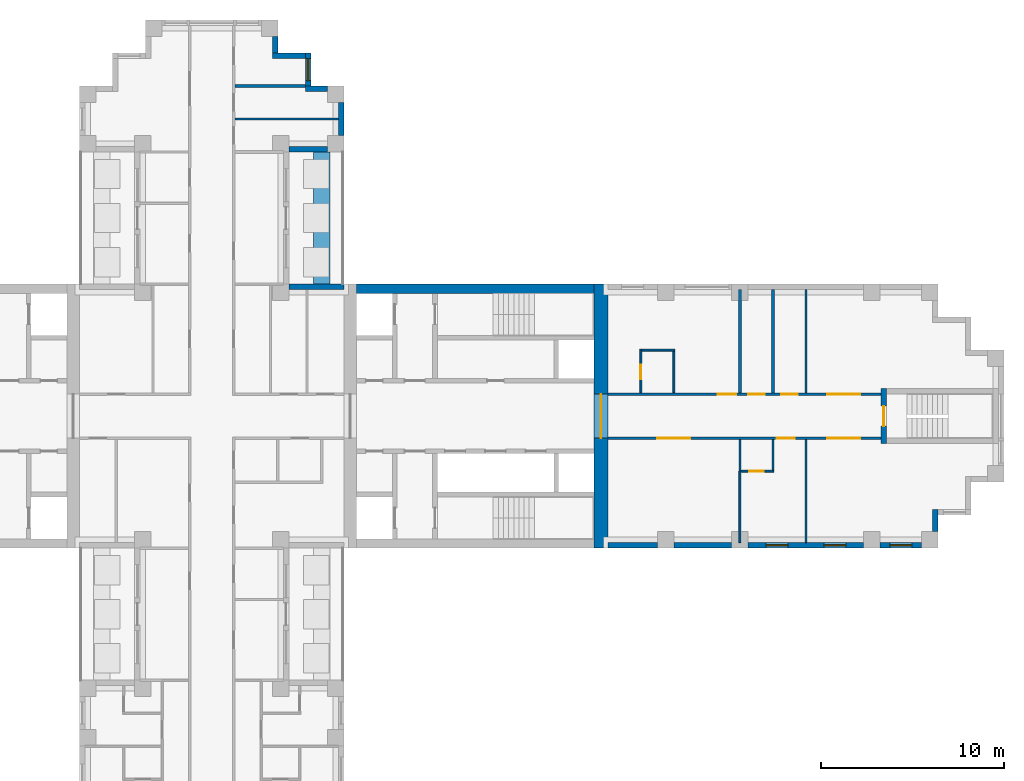
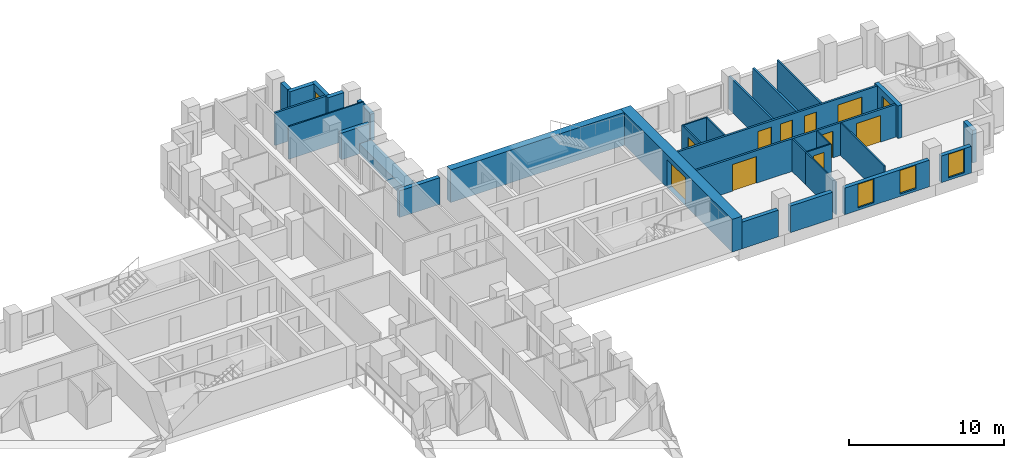
# One storey, part 10 of 14: 31 walls, 11 doors, 4 windows, 15 openings.
"""IFC4 building model written with IfcOpenShell, lengths in metres."""

from ifc_helpers import new_model, si_unit, direction, frame, frame_2d, origin, place, context, subcontext, project, spatial, rectangle, extrude, material, layer, layer_set, type_object, element, fill, save


model = new_model("IFC4")

# Units and contexts
model_context = context("Model", 3, precision=1e-05, world=origin(), true_north=direction((0.0, 1.0)))
body_context = subcontext(model_context, "Body", "Model", "MODEL_VIEW")
ifc_project = project(units=[si_unit("LENGTHUNIT", "METRE"), si_unit("AREAUNIT", "SQUARE_METRE"), si_unit("VOLUMEUNIT", "CUBIC_METRE"), si_unit("PLANEANGLEUNIT", "RADIAN"), si_unit("MASSUNIT", "GRAM", prefix="KILO")], contexts=[model_context])

# Site, building, storey
site_placement = place(None, origin())
site = spatial("IfcSite", under=ifc_project, at=site_placement, CompositionType="ELEMENT")
building_placement = place(site_placement, origin())
building = spatial("IfcBuilding", under=site, at=building_placement, Name="Fustian Cross Tower", CompositionType="ELEMENT")
storey_placement = place(building_placement, frame((0.0, 0.0, 96.89990234375)))
storey = spatial("IfcBuildingStorey", under=building, at=storey_placement, Name="L30", CompositionType="ELEMENT", Elevation=96.89990234375)

# Wall
ifc_material_1 = material(Name="Plasterboard on steel stud", Category="steel")
ifc_layer_1 = layer(ifc_material_1, 0.14990234375)
ifc_layer_set_1 = layer_set([ifc_layer_1], Name="Plasterboard on steel stud")
wall_type_1 = type_object("IfcWallType", Name="COMPARTMENT WALL 150 EI 60", PredefinedType="PARTITIONING", material=ifc_layer_set_1)
wall_1_placement = place(storey_placement, frame((1.27490234375, 18.0, 0.0), z_axis=(0.0, 0.0, 1.0), x_axis=(1.0, 0.0, 0.0)))
element("IfcWall", 1, at=wall_1_placement, inside=storey, type_object=wall_type_1, Name="Partition 55", PredefinedType="PARTITIONING", context=body_context, shape_type="SweptSolid", body=[
    extrude(rectangle(XDim=3.8251953125, YDim=0.14990234375, at=frame_2d((1.91259765625, 0.0))), origin(), (0.0, 0.0, 1.0), 2.5751953125),
])

# Wall, openings, doors
wall_2_placement = place(storey_placement, frame((21.60009765625, -1.199951171875, 0.0), z_axis=(0.0, 0.0, 1.0), x_axis=(1.0, 0.0, 0.0)))
wall_2 = element("IfcWall", 2, at=wall_2_placement, inside=storey, type_object=wall_type_1, Name="Partition 78", PredefinedType="PARTITIONING", context=body_context, shape_type="SweptSolid", body=[
    extrude(rectangle(XDim=14.89990234375, YDim=0.14990234375, at=frame_2d((7.449951171875, 0.0))), origin(), (0.0, 0.0, 1.0), 2.5751953125),
])
opening_1_placement = place(wall_2_placement, frame((2.699951171875, 0.0, 0.0)))
opening_1 = element("IfcOpeningElement", 3, at=opening_1_placement, cuts=wall_2, Name="Opening D14016", PredefinedType="OPENING", context=body_context, shape_type="SweptSolid", body=[
    extrude(rectangle(XDim=1.800048828125, YDim=2.10009765625, at=frame_2d((0.89990234375, 1.050048828125))), frame((0.0, 0.0849609375, 0.0), z_axis=(0.0, -1.0, 0.0), x_axis=(1.0, 0.0, 0.0)), (0.0, 0.0, 1.0), 0.169921875),
])
opening_2_placement = place(wall_2_placement, frame((9.199951171875, 0.0, 0.0)))
opening_2 = element("IfcOpeningElement", 4, at=opening_2_placement, cuts=wall_2, Name="Opening D14018", PredefinedType="OPENING", context=body_context, shape_type="SweptSolid", body=[
    extrude(rectangle(XDim=1.0, YDim=2.10009765625, at=frame_2d((0.5, 1.050048828125))), frame((0.0, 0.0849609375, 0.0), z_axis=(0.0, -1.0, 0.0), x_axis=(1.0, 0.0, 0.0)), (0.0, 0.0, 1.0), 0.169921875),
])
opening_3_placement = place(wall_2_placement, frame((11.949951171875, 0.0, 0.0)))
opening_3 = element("IfcOpeningElement", 5, at=opening_3_placement, cuts=wall_2, Name="Opening D14019", PredefinedType="OPENING", context=body_context, shape_type="SweptSolid", body=[
    extrude(rectangle(XDim=1.800048828125, YDim=2.10009765625, at=frame_2d((0.89990234375, 1.050048828125))), frame((0.0, 0.0849609375, 0.0), z_axis=(0.0, -1.0, 0.0), x_axis=(1.0, 0.0, 0.0)), (0.0, 0.0, 1.0), 0.169921875),
])
ifc_material_2 = material(Name="Timber fire door set", Category="wood")
door_type_1 = type_object("IfcDoorType", Name="FIRE DOUBLE DOOR 1800 FD30S", OperationType="DOUBLE_DOOR_DOUBLE_SWING", PredefinedType="DOOR", material=ifc_material_2)
door_1_placement = place(opening_1_placement, origin())
door_1 = element("IfcDoor", 6, at=door_1_placement, inside=storey, type_object=door_type_1, Name="Door D14016", OperationType="DOUBLE_DOOR_DOUBLE_SWING", OverallHeight=2.10009765625, OverallWidth=1.800048828125, PredefinedType="DOOR", context=body_context, shape_type="SweptSolid", body=[
    extrude(rectangle(XDim=1.800048828125, YDim=2.10009765625, at=frame_2d((0.89990234375, 1.050048828125))), frame((0.0, 0.02490234375, 0.0), z_axis=(0.0, -1.0, 0.0), x_axis=(1.0, 0.0, 0.0)), (0.0, 0.0, 1.0), 0.050048828125),
])
fill(opening_1, door_1)
door_2_placement = place(opening_3_placement, origin())
door_2 = element("IfcDoor", 7, at=door_2_placement, inside=storey, type_object=door_type_1, Name="Door D14019", OperationType="DOUBLE_DOOR_DOUBLE_SWING", OverallHeight=2.10009765625, OverallWidth=1.800048828125, PredefinedType="DOOR", context=body_context, shape_type="SweptSolid", body=[
    extrude(rectangle(XDim=1.800048828125, YDim=2.10009765625, at=frame_2d((0.89990234375, 1.050048828125))), frame((0.0, 0.02490234375, 0.0), z_axis=(0.0, -1.0, 0.0), x_axis=(1.0, 0.0, 0.0)), (0.0, 0.0, 1.0), 0.050048828125),
])
fill(opening_3, door_2)
ifc_material_3 = material(Name="Timber fire door set", Category="wood")
door_type_2 = type_object("IfcDoorType", Name="FIRE SWING DOOR 1000 FD30S", OperationType="SINGLE_SWING_LEFT", PredefinedType="DOOR", material=ifc_material_3)
door_3_placement = place(opening_2_placement, frame((1.0, 0.0, 0.0), z_axis=(0.0, 0.0, 1.0), x_axis=(-1.0, 0.0, 0.0)))
door_3 = element("IfcDoor", 8, at=door_3_placement, inside=storey, type_object=door_type_2, Name="Door D14018", OperationType="SINGLE_SWING_RIGHT", OverallHeight=2.10009765625, OverallWidth=1.0, PredefinedType="DOOR", context=body_context, shape_type="SweptSolid", body=[
    extrude(rectangle(XDim=1.0, YDim=2.10009765625, at=frame_2d((0.5, 1.050048828125))), frame((0.0, 0.02490234375, 0.0), z_axis=(0.0, -1.0, 0.0), x_axis=(1.0, 0.0, 0.0)), (0.0, 0.0, 1.0), 0.050048828125),
])
fill(opening_2, door_3)

wall_3_placement = place(storey_placement, frame((21.60009765625, 1.199951171875, 0.0), z_axis=(0.0, 0.0, 1.0), x_axis=(1.0, 0.0, 0.0)))
wall_3 = element("IfcWall", 9, at=wall_3_placement, inside=storey, type_object=wall_type_1, Name="Partition 79", PredefinedType="PARTITIONING", context=body_context, shape_type="SweptSolid", body=[
    extrude(rectangle(XDim=14.89990234375, YDim=0.14990234375, at=frame_2d((7.449951171875, 0.0))), origin(), (0.0, 0.0, 1.0), 2.5751953125),
])
opening_4_placement = place(wall_3_placement, frame((6.0, 0.0, 0.0)))
opening_4 = element("IfcOpeningElement", 10, at=opening_4_placement, cuts=wall_3, Name="Opening D14012", PredefinedType="OPENING", context=body_context, shape_type="SweptSolid", body=[
    extrude(rectangle(XDim=1.0, YDim=2.10009765625, at=frame_2d((0.5, 1.050048828125))), frame((0.0, 0.0849609375, 0.0), z_axis=(0.0, -1.0, 0.0), x_axis=(1.0, 0.0, 0.0)), (0.0, 0.0, 1.0), 0.169921875),
])
opening_5_placement = place(wall_3_placement, frame((7.64990234375, 0.0, 0.0)))
opening_5 = element("IfcOpeningElement", 11, at=opening_5_placement, cuts=wall_3, Name="Opening D14013", PredefinedType="OPENING", context=body_context, shape_type="SweptSolid", body=[
    extrude(rectangle(XDim=0.89990234375, YDim=2.10009765625, at=frame_2d((0.449951171875, 1.050048828125))), frame((0.0, 0.0849609375, 0.0), z_axis=(0.0, -1.0, 0.0), x_axis=(1.0, 0.0, 0.0)), (0.0, 0.0, 1.0), 0.169921875),
])
opening_6_placement = place(wall_3_placement, frame((9.449951171875, 0.0, 0.0)))
opening_6 = element("IfcOpeningElement", 12, at=opening_6_placement, cuts=wall_3, Name="Opening D14014", PredefinedType="OPENING", context=body_context, shape_type="SweptSolid", body=[
    extrude(rectangle(XDim=0.89990234375, YDim=2.10009765625, at=frame_2d((0.449951171875, 1.050048828125))), frame((0.0, 0.0849609375, 0.0), z_axis=(0.0, -1.0, 0.0), x_axis=(1.0, 0.0, 0.0)), (0.0, 0.0, 1.0), 0.169921875),
])
opening_7_placement = place(wall_3_placement, frame((11.949951171875, 0.0, 0.0)))
opening_7 = element("IfcOpeningElement", 13, at=opening_7_placement, cuts=wall_3, Name="Opening D14015", PredefinedType="OPENING", context=body_context, shape_type="SweptSolid", body=[
    extrude(rectangle(XDim=1.800048828125, YDim=2.10009765625, at=frame_2d((0.89990234375, 1.050048828125))), frame((0.0, 0.0849609375, 0.0), z_axis=(0.0, -1.0, 0.0), x_axis=(1.0, 0.0, 0.0)), (0.0, 0.0, 1.0), 0.169921875),
])
door_4_placement = place(opening_7_placement, frame((1.800048828125, 0.0, 0.0), z_axis=(0.0, 0.0, 1.0), x_axis=(-1.0, 0.0, 0.0)))
door_4 = element("IfcDoor", 14, at=door_4_placement, inside=storey, type_object=door_type_1, Name="Door D14015", OperationType="DOUBLE_DOOR_DOUBLE_SWING", OverallHeight=2.10009765625, OverallWidth=1.800048828125, PredefinedType="DOOR", context=body_context, shape_type="SweptSolid", body=[
    extrude(rectangle(XDim=1.800048828125, YDim=2.10009765625, at=frame_2d((0.89990234375, 1.050048828125))), frame((0.0, 0.02490234375, 0.0), z_axis=(0.0, -1.0, 0.0), x_axis=(1.0, 0.0, 0.0)), (0.0, 0.0, 1.0), 0.050048828125),
])
fill(opening_7, door_4)
door_5_placement = place(opening_4_placement, origin())
door_5 = element("IfcDoor", 15, at=door_5_placement, inside=storey, type_object=door_type_2, Name="Door D14012", OperationType="SINGLE_SWING_RIGHT", OverallHeight=2.10009765625, OverallWidth=1.0, PredefinedType="DOOR", context=body_context, shape_type="SweptSolid", body=[
    extrude(rectangle(XDim=1.0, YDim=2.10009765625, at=frame_2d((0.5, 1.050048828125))), frame((0.0, 0.02490234375, 0.0), z_axis=(0.0, -1.0, 0.0), x_axis=(1.0, 0.0, 0.0)), (0.0, 0.0, 1.0), 0.050048828125),
])
fill(opening_4, door_5)
ifc_material_4 = material(Name="Timber fire door set", Category="wood")
door_type_3 = type_object("IfcDoorType", Name="FIRE SWING DOOR 900 FD30S", OperationType="SINGLE_SWING_LEFT", PredefinedType="DOOR", material=ifc_material_4)
door_6_placement = place(opening_5_placement, origin())
door_6 = element("IfcDoor", 16, at=door_6_placement, inside=storey, type_object=door_type_3, Name="Door D14013", OperationType="SINGLE_SWING_RIGHT", OverallHeight=2.10009765625, OverallWidth=0.89990234375, PredefinedType="DOOR", context=body_context, shape_type="SweptSolid", body=[
    extrude(rectangle(XDim=0.89990234375, YDim=2.10009765625, at=frame_2d((0.449951171875, 1.050048828125))), frame((0.0, 0.02490234375, 0.0), z_axis=(0.0, -1.0, 0.0), x_axis=(1.0, 0.0, 0.0)), (0.0, 0.0, 1.0), 0.050048828125),
])
fill(opening_5, door_6)
door_7_placement = place(opening_6_placement, origin())
door_7 = element("IfcDoor", 17, at=door_7_placement, inside=storey, type_object=door_type_3, Name="Door D14014", OperationType="SINGLE_SWING_RIGHT", OverallHeight=2.10009765625, OverallWidth=0.89990234375, PredefinedType="DOOR", context=body_context, shape_type="SweptSolid", body=[
    extrude(rectangle(XDim=0.89990234375, YDim=2.10009765625, at=frame_2d((0.449951171875, 1.050048828125))), frame((0.0, 0.02490234375, 0.0), z_axis=(0.0, -1.0, 0.0), x_axis=(1.0, 0.0, 0.0)), (0.0, 0.0, 1.0), 0.050048828125),
])
fill(opening_6, door_7)

# Walls
for number, where, z_axis, x_axis, name in (
    (18, (28.800048828125, 1.27490234375, 0.0), (0.0, 0.0, 1.0), (0.0, 1.0, 0.0), "Partition 86"),
    (19, (30.60009765625, 1.27490234375, 0.0), (0.0, 0.0, 1.0), (0.0, 1.0, 0.0), "Partition 88"),
):
    element("IfcWall", number, at=place(storey_placement, frame(where, z_axis=z_axis, x_axis=x_axis)), inside=storey, type_object=wall_type_1, Name=name, PredefinedType="PARTITIONING", context=body_context, shape_type="SweptSolid", body=[
        extrude(rectangle(XDim=5.625, YDim=0.14990234375, at=frame_2d((2.8125, 0.0))), origin(), (0.0, 0.0, 1.0), 2.5751953125),
    ])

# Wall, opening, door
ifc_material_5 = material(Name="Concrete C70/85", Category="concrete")
ifc_layer_2 = layer(ifc_material_5, 0.75)
ifc_layer_set_2 = layer_set([ifc_layer_2], Name="Concrete C70/85")
wall_type_2 = type_object("IfcWallType", Name="CORE END WALL 750 C70/85", PredefinedType="SHEAR", material=ifc_layer_set_2)
wall_4_placement = place(storey_placement, frame((21.22509765625, -7.199951171875, 0.0), z_axis=(0.0, 0.0, 1.0), x_axis=(0.0, 1.0, 0.0)))
wall_4 = element("IfcWall", 20, at=wall_4_placement, inside=storey, type_object=wall_type_2, Name="Core end wall", PredefinedType="SHEAR", context=body_context, shape_type="SweptSolid", body=[
    extrude(rectangle(XDim=14.39990234375, YDim=0.75, at=frame_2d((7.199951171875, 0.0))), origin(), (0.0, 0.0, 1.0), 2.5751953125),
])
opening_8_placement = place(wall_4_placement, frame((6.0, 0.0, 0.0)))
opening_8 = element("IfcOpeningElement", 21, at=opening_8_placement, cuts=wall_4, Name="Opening CD-09-13", PredefinedType="OPENING", context=body_context, shape_type="SweptSolid", body=[
    extrude(rectangle(XDim=2.39990234375, YDim=2.199951171875, at=frame_2d((1.199951171875, 1.10009765625))), frame((0.0, 0.385009765625, 0.0), z_axis=(0.0, -1.0, 0.0), x_axis=(1.0, 0.0, 0.0)), (0.0, 0.0, 1.0), 0.77001953125),
])
ifc_material_6 = material(Name="Steel", Category="steel")
door_type_4 = type_object("IfcDoorType", Name="FIRE DOOR FD30S DOUBLE 2400X2200", OperationType="DOUBLE_DOOR_DOUBLE_SWING", PredefinedType="DOOR", material=ifc_material_6)
door_8_placement = place(opening_8_placement, origin())
door_8 = element("IfcDoor", 22, at=door_8_placement, inside=storey, type_object=door_type_4, Name="Core door CD-09-13", OperationType="DOUBLE_DOOR_DOUBLE_SWING", OverallHeight=2.199951171875, OverallWidth=2.39990234375, PredefinedType="DOOR", context=body_context, shape_type="SweptSolid", body=[
    extrude(rectangle(XDim=2.39990234375, YDim=2.199951171875, at=frame_2d((1.199951171875, 1.10009765625))), frame((0.0, 0.02490234375, 0.0), z_axis=(0.0, -1.0, 0.0), x_axis=(1.0, 0.0, 0.0)), (0.0, 0.0, 1.0), 0.050048828125),
])
fill(opening_8, door_8)

# Walls
ifc_material_7 = material(Name="Concrete C70/85", Category="concrete")
ifc_layer_3 = layer(ifc_material_7, 0.5)
ifc_layer_set_3 = layer_set([ifc_layer_3], Name="Concrete C70/85")
wall_type_3 = type_object("IfcWallType", Name="CORE FACADE WALL 500 C70/85", PredefinedType="SHEAR", material=ifc_layer_set_3)
wall_5_placement = place(storey_placement, frame((7.89990234375, 6.949951171875, 0.0), z_axis=(0.0, 0.0, 1.0), x_axis=(1.0, 0.0, 0.0)))
element("IfcWall", 23, at=wall_5_placement, inside=storey, type_object=wall_type_3, Name="Core facade wall", PredefinedType="SHEAR", context=body_context, shape_type="SweptSolid", body=[
    extrude(rectangle(XDim=12.9501953125, YDim=0.5, at=frame_2d((6.47509765625, 0.0))), origin(), (0.0, 0.0, 1.0), 2.5751953125),
])
ifc_material_8 = material(Name="Plasterboard on steel stud", Category="steel")
ifc_layer_4 = layer(ifc_material_8, 0.10009765625)
ifc_layer_set_4 = layer_set([ifc_layer_4], Name="Plasterboard on steel stud")
wall_type_4 = type_object("IfcWallType", Name="PARTITION 100 STUD", PredefinedType="PARTITIONING", material=ifc_layer_set_4)
wall_6_placement = place(storey_placement, frame((1.27490234375, 16.199951171875, 0.0), z_axis=(0.0, 0.0, 1.0), x_axis=(1.0, 0.0, 0.0)))
element("IfcWall", 24, at=wall_6_placement, inside=storey, type_object=wall_type_4, Name="Partition 54", PredefinedType="PARTITIONING", context=body_context, shape_type="SweptSolid", body=[
    extrude(rectangle(XDim=5.625, YDim=0.10009765625, at=frame_2d((2.8125, 0.0))), origin(), (0.0, 0.0, 1.0), 2.5751953125),
])

# Wall, opening, door
wall_7_placement = place(storey_placement, frame((23.39990234375, 1.27490234375, 0.0), z_axis=(0.0, 0.0, 1.0), x_axis=(0.0, 1.0, 0.0)))
wall_7 = element("IfcWall", 25, at=wall_7_placement, inside=storey, type_object=wall_type_4, Name="Partition 80", PredefinedType="PARTITIONING", context=body_context, shape_type="SweptSolid", body=[
    extrude(rectangle(XDim=2.375, YDim=0.10009765625, at=frame_2d((1.1875, 0.0))), origin(), (0.0, 0.0, 1.0), 2.5751953125),
])
opening_9_placement = place(wall_7_placement, frame((0.72509765625, 0.0, 0.0)))
opening_9 = element("IfcOpeningElement", 26, at=opening_9_placement, cuts=wall_7, Name="Opening D14011", PredefinedType="OPENING", context=body_context, shape_type="SweptSolid", body=[
    extrude(rectangle(XDim=0.800048828125, YDim=2.10009765625, at=frame_2d((0.39990234375, 1.050048828125))), frame((0.0, 0.06005859375, 0.0), z_axis=(0.0, -1.0, 0.0), x_axis=(1.0, 0.0, 0.0)), (0.0, 0.0, 1.0), 0.1201171875),
])
ifc_material_9 = material(Name="Painted timber", Category="wood")
door_type_5 = type_object("IfcDoorType", Name="SWING DOOR 800", OperationType="SINGLE_SWING_LEFT", PredefinedType="DOOR", material=ifc_material_9)
door_9_placement = place(opening_9_placement, frame((0.800048828125, 0.0, 0.0), z_axis=(0.0, 0.0, 1.0), x_axis=(-1.0, 0.0, 0.0)))
door_9 = element("IfcDoor", 27, at=door_9_placement, inside=storey, type_object=door_type_5, Name="Door D14011", OperationType="SINGLE_SWING_RIGHT", OverallHeight=2.10009765625, OverallWidth=0.800048828125, PredefinedType="DOOR", context=body_context, shape_type="SweptSolid", body=[
    extrude(rectangle(XDim=0.800048828125, YDim=2.10009765625, at=frame_2d((0.39990234375, 1.050048828125))), frame((0.0, 0.02490234375, 0.0), z_axis=(0.0, -1.0, 0.0), x_axis=(1.0, 0.0, 0.0)), (0.0, 0.0, 1.0), 0.050048828125),
])
fill(opening_9, door_9)

# Walls
wall_8_placement = place(storey_placement, frame((23.449951171875, 3.60009765625, 0.0), z_axis=(0.0, 0.0, 1.0), x_axis=(1.0, 0.0, 0.0)))
element("IfcWall", 28, at=wall_8_placement, inside=storey, type_object=wall_type_4, Name="Partition 81", PredefinedType="PARTITIONING", context=body_context, shape_type="SweptSolid", body=[
    extrude(rectangle(XDim=1.800048828125, YDim=0.10009765625, at=frame_2d((0.89990234375, 0.0))), origin(), (0.0, 0.0, 1.0), 2.5751953125),
])
wall_9_placement = place(storey_placement, frame((25.199951171875, 1.27490234375, 0.0), z_axis=(0.0, 0.0, 1.0), x_axis=(0.0, 1.0, 0.0)))
element("IfcWall", 29, at=wall_9_placement, inside=storey, type_object=wall_type_4, Name="Partition 82", PredefinedType="PARTITIONING", context=body_context, shape_type="SweptSolid", body=[
    extrude(rectangle(XDim=2.275146484375, YDim=0.10009765625, at=frame_2d((1.1376953125, 0.0))), origin(), (0.0, 0.0, 1.0), 2.5751953125),
])
wall_10_placement = place(storey_placement, frame((28.800048828125, -6.89990234375, 0.0), z_axis=(0.0, 0.0, 1.0), x_axis=(0.0, 1.0, 0.0)))
element("IfcWall", 30, at=wall_10_placement, inside=storey, type_object=wall_type_4, Name="Partition 83", PredefinedType="PARTITIONING", context=body_context, shape_type="SweptSolid", body=[
    extrude(rectangle(XDim=3.89990234375, YDim=0.10009765625, at=frame_2d((1.949951171875, 0.0))), origin(), (0.0, 0.0, 1.0), 2.5751953125),
])

# Wall, opening, door
wall_11_placement = place(storey_placement, frame((28.862548828125, -3.0, 0.0), z_axis=(0.0, 0.0, 1.0), x_axis=(1.0, 0.0, 0.0)))
wall_11 = element("IfcWall", 31, at=wall_11_placement, inside=storey, type_object=wall_type_4, Name="Partition 85", PredefinedType="PARTITIONING", context=body_context, shape_type="SweptSolid", body=[
    extrude(rectangle(XDim=1.787353515625, YDim=0.10009765625, at=frame_2d((0.8935546875, 0.0))), origin(), (0.0, 0.0, 1.0), 2.5751953125),
])
opening_10_placement = place(wall_11_placement, frame((0.4375, 0.0, 0.0)))
opening_10 = element("IfcOpeningElement", 32, at=opening_10_placement, cuts=wall_11, Name="Opening D14017", PredefinedType="OPENING", context=body_context, shape_type="SweptSolid", body=[
    extrude(rectangle(XDim=0.800048828125, YDim=2.10009765625, at=frame_2d((0.39990234375, 1.050048828125))), frame((0.0, 0.06005859375, 0.0), z_axis=(0.0, -1.0, 0.0), x_axis=(1.0, 0.0, 0.0)), (0.0, 0.0, 1.0), 0.1201171875),
])
door_10_placement = place(opening_10_placement, origin())
door_10 = element("IfcDoor", 33, at=door_10_placement, inside=storey, type_object=door_type_5, Name="Door D14017", OperationType="SINGLE_SWING_RIGHT", OverallHeight=2.10009765625, OverallWidth=0.800048828125, PredefinedType="DOOR", context=body_context, shape_type="SweptSolid", body=[
    extrude(rectangle(XDim=0.800048828125, YDim=2.10009765625, at=frame_2d((0.39990234375, 1.050048828125))), frame((0.0, 0.02490234375, 0.0), z_axis=(0.0, -1.0, 0.0), x_axis=(1.0, 0.0, 0.0)), (0.0, 0.0, 1.0), 0.050048828125),
])
fill(opening_10, door_10)

# Walls
wall_12_placement = place(storey_placement, frame((30.60009765625, -2.949951171875, 0.0), z_axis=(0.0, 0.0, 1.0), x_axis=(0.0, 1.0, 0.0)))
element("IfcWall", 34, at=wall_12_placement, inside=storey, type_object=wall_type_4, Name="Partition 87", PredefinedType="PARTITIONING", context=body_context, shape_type="SweptSolid", body=[
    extrude(rectangle(XDim=1.675048828125, YDim=0.10009765625, at=frame_2d((0.83740234375, 0.0))), origin(), (0.0, 0.0, 1.0), 2.5751953125),
])
wall_13_placement = place(storey_placement, frame((32.39990234375, -6.89990234375, 0.0), z_axis=(0.0, 0.0, 1.0), x_axis=(0.0, 1.0, 0.0)))
element("IfcWall", 35, at=wall_13_placement, inside=storey, type_object=wall_type_4, Name="Partition 89", PredefinedType="PARTITIONING", context=body_context, shape_type="SweptSolid", body=[
    extrude(rectangle(XDim=5.625, YDim=0.10009765625, at=frame_2d((2.8125, 0.0))), origin(), (0.0, 0.0, 1.0), 2.5751953125),
])
ifc_material_10 = material(Name="Concrete C40/50", Category="concrete")
ifc_layer_5 = layer(ifc_material_10, 0.89990234375)
ifc_layer_set_5 = layer_set([ifc_layer_5], Name="Concrete C40/50")
wall_type_5 = type_object("IfcWallType", Name="PK1 PLANTER 900", PredefinedType="PARAPET", material=ifc_layer_set_5)
wall_14_placement = place(storey_placement, frame((6.0, 7.199951171875, 0.0), z_axis=(0.0, 0.0, 1.0), x_axis=(0.0, 1.0, 0.0)))
element("IfcWall", 36, at=wall_14_placement, inside=storey, type_object=wall_type_5, Name="PLANTER", PredefinedType="PARAPET", context=body_context, shape_type="SweptSolid", body=[
    extrude(rectangle(XDim=7.199951171875, YDim=0.89990234375, at=frame_2d((3.60009765625, 0.0))), origin(), (0.0, 0.0, 1.0), 0.800048828125),
])

# Wall, opening, door
ifc_material_11 = material(Name="Concrete C50/60", Category="concrete")
ifc_layer_6 = layer(ifc_material_11, 0.300048828125)
ifc_layer_set_6 = layer_set([ifc_layer_6], Name="Concrete C50/60")
wall_type_6 = type_object("IfcWallType", Name="STAIR ENCLOSURE WALL 300 C50/60", PredefinedType="SHEAR", material=ifc_layer_set_6)
wall_15_placement = place(storey_placement, frame((36.64990234375, -1.5, 0.0), z_axis=(0.0, 0.0, 1.0), x_axis=(0.0, 1.0, 0.0)))
wall_15 = element("IfcWall", 37, at=wall_15_placement, inside=storey, type_object=wall_type_6, Name="Stair enclosure wall", PredefinedType="SHEAR", context=body_context, shape_type="SweptSolid", body=[
    extrude(rectangle(XDim=3.0, YDim=0.300048828125, at=frame_2d((1.5, 0.0))), origin(), (0.0, 0.0, 1.0), 2.5751953125),
])
opening_11_placement = place(wall_15_placement, frame((0.949951171875, 0.0, 0.0)))
opening_11 = element("IfcOpeningElement", 38, at=opening_11_placement, cuts=wall_15, Name="Opening CD-09-30", PredefinedType="OPENING", context=body_context, shape_type="SweptSolid", body=[
    extrude(rectangle(XDim=1.10009765625, YDim=2.10009765625, at=frame_2d((0.550048828125, 1.050048828125))), frame((0.0, 0.159912109375, 0.0), z_axis=(0.0, -1.0, 0.0), x_axis=(1.0, 0.0, 0.0)), (0.0, 0.0, 1.0), 0.320068359375),
])
ifc_material_12 = material(Name="Steel", Category="steel")
door_type_6 = type_object("IfcDoorType", Name="FIRE DOOR FD60S 1100X2100", OperationType="SINGLE_SWING_LEFT", PredefinedType="DOOR", material=ifc_material_12)
door_11_placement = place(opening_11_placement, frame((1.10009765625, 0.0, 0.0), z_axis=(0.0, 0.0, 1.0), x_axis=(-1.0, 0.0, 0.0)))
door_11 = element("IfcDoor", 39, at=door_11_placement, inside=storey, type_object=door_type_6, Name="Core door CD-09-30", OperationType="SINGLE_SWING_RIGHT", OverallHeight=2.10009765625, OverallWidth=1.10009765625, PredefinedType="DOOR", context=body_context, shape_type="SweptSolid", body=[
    extrude(rectangle(XDim=1.10009765625, YDim=2.10009765625, at=frame_2d((0.550048828125, 1.050048828125))), frame((0.0, 0.02490234375, 0.0), z_axis=(0.0, -1.0, 0.0), x_axis=(1.0, 0.0, 0.0)), (0.0, 0.0, 1.0), 0.050048828125),
])
fill(opening_11, door_11)

# Walls
ifc_material_13 = material(Name="Plasterboard on steel stud", Category="steel")
ifc_layer_7 = layer(ifc_material_13, 0.125)
ifc_layer_set_7 = layer_set([ifc_layer_7], Name="Plasterboard on steel stud")
wall_type_7 = type_object("IfcWallType", Name="WET WALL 125 STUD", PredefinedType="PARTITIONING", material=ifc_layer_set_7)
wall_16_placement = place(storey_placement, frame((28.800048828125, -3.0, 0.0), z_axis=(0.0, 0.0, 1.0), x_axis=(0.0, 1.0, 0.0)))
element("IfcWall", 40, at=wall_16_placement, inside=storey, type_object=wall_type_7, Name="Partition 84", PredefinedType="PARTITIONING", context=body_context, shape_type="SweptSolid", body=[
    extrude(rectangle(XDim=1.72509765625, YDim=0.125, at=frame_2d((0.862548828125, 0.0))), origin(), (0.0, 0.0, 1.0), 2.5751953125),
])
wall_17_placement = place(storey_placement, frame((32.39990234375, 1.27490234375, 0.0), z_axis=(0.0, 0.0, 1.0), x_axis=(0.0, 1.0, 0.0)))
element("IfcWall", 41, at=wall_17_placement, inside=storey, type_object=wall_type_7, Name="Partition 90", PredefinedType="PARTITIONING", context=body_context, shape_type="SweptSolid", body=[
    extrude(rectangle(XDim=5.625, YDim=0.125, at=frame_2d((2.8125, 0.0))), origin(), (0.0, 0.0, 1.0), 2.5751953125),
])
ifc_material_14 = material(Name="Dark aluminium cladding on insulated backing wall", Category="aluminium")
ifc_layer_8 = layer(ifc_material_14, 0.300048828125)
ifc_layer_set_8 = layer_set([ifc_layer_8], Name="Dark aluminium cladding on insulated backing wall")
wall_type_8 = type_object("IfcWallType", Name="XW1 EXTERNAL WALL 300", PredefinedType="SOLIDWALL", material=ifc_layer_set_8)
wall_18_placement = place(storey_placement, frame((21.60009765625, -7.050048828125, 0.0), z_axis=(0.0, 0.0, 1.0), x_axis=(1.0, 0.0, 0.0)))
element("IfcWall", 42, at=wall_18_placement, inside=storey, type_object=wall_type_8, Name="External wall", PredefinedType="SOLIDWALL", context=body_context, shape_type="SweptSolid", body=[
    extrude(rectangle(XDim=2.699951171875, YDim=0.300048828125, at=frame_2d((1.35009765625, 0.0))), origin(), (0.0, 0.0, 1.0), 2.10009765625),
])
wall_19_placement = place(storey_placement, frame((25.199951171875, -7.050048828125, 0.0), z_axis=(0.0, 0.0, 1.0), x_axis=(1.0, 0.0, 0.0)))
element("IfcWall", 43, at=wall_19_placement, inside=storey, type_object=wall_type_8, Name="External wall", PredefinedType="SOLIDWALL", context=body_context, shape_type="SweptSolid", body=[
    extrude(rectangle(XDim=3.150146484375, YDim=0.300048828125, at=frame_2d((1.5751953125, 0.0))), origin(), (0.0, 0.0, 1.0), 2.10009765625),
])

# Wall, openings, windows
wall_20_placement = place(storey_placement, frame((29.25, -7.050048828125, 0.0), z_axis=(0.0, 0.0, 1.0), x_axis=(1.0, 0.0, 0.0)))
wall_20 = element("IfcWall", 44, at=wall_20_placement, inside=storey, type_object=wall_type_8, Name="External wall", PredefinedType="SOLIDWALL", context=body_context, shape_type="SweptSolid", body=[
    extrude(rectangle(XDim=6.300048828125, YDim=0.300048828125, at=frame_2d((3.14990234375, 0.0))), origin(), (0.0, 0.0, 1.0), 2.10009765625),
])
opening_12_placement = place(wall_20_placement, frame((0.97509765625, 0.0, 0.199951171875)))
opening_12 = element("IfcOpeningElement", 45, at=opening_12_placement, cuts=wall_20, Name="Opening WN3", PredefinedType="OPENING", context=body_context, shape_type="SweptSolid", body=[
    extrude(rectangle(XDim=1.199951171875, YDim=1.85009765625, at=frame_2d((0.60009765625, 0.925048828125))), frame((0.0, 0.159912109375, 0.0), z_axis=(0.0, -1.0, 0.0), x_axis=(1.0, 0.0, 0.0)), (0.0, 0.0, 1.0), 0.320068359375),
])
opening_13_placement = place(wall_20_placement, frame((4.125, 0.0, 0.199951171875)))
opening_13 = element("IfcOpeningElement", 46, at=opening_13_placement, cuts=wall_20, Name="Opening WN3", PredefinedType="OPENING", context=body_context, shape_type="SweptSolid", body=[
    extrude(rectangle(XDim=1.199951171875, YDim=1.85009765625, at=frame_2d((0.60009765625, 0.925048828125))), frame((0.0, 0.159912109375, 0.0), z_axis=(0.0, -1.0, 0.0), x_axis=(1.0, 0.0, 0.0)), (0.0, 0.0, 1.0), 0.320068359375),
])
ifc_material_15 = material(Name="Dark anodised aluminium and double glazing", Category="aluminium")
window_type = type_object("IfcWindowType", Name="WN3 WINDOW 1200X1850", PartitioningType="SINGLE_PANEL", PredefinedType="WINDOW", material=ifc_material_15)
window_1_placement = place(opening_12_placement, origin())
window_1 = element("IfcWindow", 47, at=window_1_placement, inside=storey, type_object=window_type, Name="Window", OverallHeight=1.85009765625, OverallWidth=1.199951171875, PartitioningType="SINGLE_PANEL", PredefinedType="WINDOW", context=body_context, shape_type="SweptSolid", body=[
    extrude(rectangle(XDim=1.199951171875, YDim=1.85009765625, at=frame_2d((0.60009765625, 0.925048828125))), frame((0.0, 0.030029296875, 0.0), z_axis=(0.0, -1.0, 0.0), x_axis=(1.0, 0.0, 0.0)), (0.0, 0.0, 1.0), 0.06005859375),
])
fill(opening_12, window_1)
window_2_placement = place(opening_13_placement, origin())
window_2 = element("IfcWindow", 48, at=window_2_placement, inside=storey, type_object=window_type, Name="Window", OverallHeight=1.85009765625, OverallWidth=1.199951171875, PartitioningType="SINGLE_PANEL", PredefinedType="WINDOW", context=body_context, shape_type="SweptSolid", body=[
    extrude(rectangle(XDim=1.199951171875, YDim=1.85009765625, at=frame_2d((0.60009765625, 0.925048828125))), frame((0.0, 0.030029296875, 0.0), z_axis=(0.0, -1.0, 0.0), x_axis=(1.0, 0.0, 0.0)), (0.0, 0.0, 1.0), 0.06005859375),
])
fill(opening_13, window_2)

# Wall, opening, window
wall_21_placement = place(storey_placement, frame((36.449951171875, -7.050048828125, 0.0), z_axis=(0.0, 0.0, 1.0), x_axis=(1.0, 0.0, 0.0)))
wall_21 = element("IfcWall", 49, at=wall_21_placement, inside=storey, type_object=wall_type_8, Name="External wall", PredefinedType="SOLIDWALL", context=body_context, shape_type="SweptSolid", body=[
    extrude(rectangle(XDim=2.25, YDim=0.300048828125, at=frame_2d((1.125, 0.0))), origin(), (0.0, 0.0, 1.0), 2.10009765625),
])
opening_14_placement = place(wall_21_placement, frame((0.52490234375, 0.0, 0.199951171875)))
opening_14 = element("IfcOpeningElement", 50, at=opening_14_placement, cuts=wall_21, Name="Opening WN3", PredefinedType="OPENING", context=body_context, shape_type="SweptSolid", body=[
    extrude(rectangle(XDim=1.199951171875, YDim=1.85009765625, at=frame_2d((0.60009765625, 0.925048828125))), frame((0.0, 0.159912109375, 0.0), z_axis=(0.0, -1.0, 0.0), x_axis=(1.0, 0.0, 0.0)), (0.0, 0.0, 1.0), 0.320068359375),
])
window_3_placement = place(opening_14_placement, origin())
window_3 = element("IfcWindow", 51, at=window_3_placement, inside=storey, type_object=window_type, Name="Window", OverallHeight=1.85009765625, OverallWidth=1.199951171875, PartitioningType="SINGLE_PANEL", PredefinedType="WINDOW", context=body_context, shape_type="SweptSolid", body=[
    extrude(rectangle(XDim=1.199951171875, YDim=1.85009765625, at=frame_2d((0.60009765625, 0.925048828125))), frame((0.0, 0.030029296875, 0.0), z_axis=(0.0, -1.0, 0.0), x_axis=(1.0, 0.0, 0.0)), (0.0, 0.0, 1.0), 0.06005859375),
])
fill(opening_14, window_3)

# Walls
wall_22_placement = place(storey_placement, frame((39.449951171875, -6.300048828125, 0.0), z_axis=(0.0, 0.0, 1.0), x_axis=(0.0, 1.0, 0.0)))
element("IfcWall", 52, at=wall_22_placement, inside=storey, type_object=wall_type_8, Name="External wall", PredefinedType="SOLIDWALL", context=body_context, shape_type="SweptSolid", body=[
    extrude(rectangle(XDim=1.199951171875, YDim=0.300048828125, at=frame_2d((0.60009765625, 0.0))), origin(), (0.0, 0.0, 1.0), 2.5751953125),
])
wall_23_placement = place(storey_placement, frame((7.199951171875, 7.050048828125, 0.0), z_axis=(0.0, 0.0, 1.0), x_axis=(-1.0, 0.0, 0.0)))
element("IfcWall", 53, at=wall_23_placement, inside=storey, type_object=wall_type_8, Name="External wall", PredefinedType="SOLIDWALL", context=body_context, shape_type="SweptSolid", body=[
    extrude(rectangle(XDim=3.0, YDim=0.300048828125, at=frame_2d((1.5, 0.0))), origin(), (0.0, 0.0, 1.0), 2.10009765625),
])
wall_24_placement = place(storey_placement, frame((4.199951171875, 14.550048828125, 0.0), z_axis=(0.0, 0.0, 1.0), x_axis=(1.0, 0.0, 0.0)))
element("IfcWall", 54, at=wall_24_placement, inside=storey, type_object=wall_type_8, Name="External wall", PredefinedType="SOLIDWALL", context=body_context, shape_type="SweptSolid", body=[
    extrude(rectangle(XDim=2.10009765625, YDim=0.300048828125, at=frame_2d((1.050048828125, 0.0))), origin(), (0.0, 0.0, 1.0), 2.10009765625),
])
wall_25_placement = place(storey_placement, frame((7.050048828125, 15.300048828125, 0.0), z_axis=(0.0, 0.0, 1.0), x_axis=(0.0, 1.0, 0.0)))
element("IfcWall", 55, at=wall_25_placement, inside=storey, type_object=wall_type_8, Name="External wall", PredefinedType="SOLIDWALL", context=body_context, shape_type="SweptSolid", body=[
    extrude(rectangle(XDim=1.800048828125, YDim=0.300048828125, at=frame_2d((0.89990234375, 0.0))), origin(), (0.0, 0.0, 1.0), 2.10009765625),
])
wall_26_placement = place(storey_placement, frame((6.300048828125, 17.85009765625, 0.0), z_axis=(0.0, 0.0, 1.0), x_axis=(-1.0, 0.0, 0.0)))
element("IfcWall", 56, at=wall_26_placement, inside=storey, type_object=wall_type_8, Name="External wall", PredefinedType="SOLIDWALL", context=body_context, shape_type="SweptSolid", body=[
    extrude(rectangle(XDim=1.199951171875, YDim=0.300048828125, at=frame_2d((0.60009765625, 0.0))), origin(), (0.0, 0.0, 1.0), 2.5751953125),
])

# Wall, opening, window
wall_27_placement = place(storey_placement, frame((5.25, 18.0, 0.0), z_axis=(0.0, 0.0, 1.0), x_axis=(0.0, 1.0, 0.0)))
wall_27 = element("IfcWall", 57, at=wall_27_placement, inside=storey, type_object=wall_type_8, Name="External wall", PredefinedType="SOLIDWALL", context=body_context, shape_type="SweptSolid", body=[
    extrude(rectangle(XDim=1.800048828125, YDim=0.300048828125, at=frame_2d((0.89990234375, 0.0))), origin(), (0.0, 0.0, 1.0), 2.5751953125),
])
opening_15_placement = place(wall_27_placement, frame((0.300048828125, 0.0, 0.199951171875)))
opening_15 = element("IfcOpeningElement", 58, at=opening_15_placement, cuts=wall_27, Name="Opening WN3", PredefinedType="OPENING", context=body_context, shape_type="SweptSolid", body=[
    extrude(rectangle(XDim=1.199951171875, YDim=1.85009765625, at=frame_2d((0.60009765625, 0.925048828125))), frame((0.0, 0.159912109375, 0.0), z_axis=(0.0, -1.0, 0.0), x_axis=(1.0, 0.0, 0.0)), (0.0, 0.0, 1.0), 0.320068359375),
])
window_4_placement = place(opening_15_placement, origin())
window_4 = element("IfcWindow", 59, at=window_4_placement, inside=storey, type_object=window_type, Name="Window", OverallHeight=1.85009765625, OverallWidth=1.199951171875, PartitioningType="SINGLE_PANEL", PredefinedType="WINDOW", context=body_context, shape_type="SweptSolid", body=[
    extrude(rectangle(XDim=1.199951171875, YDim=1.85009765625, at=frame_2d((0.60009765625, 0.925048828125))), frame((0.0, 0.030029296875, 0.0), z_axis=(0.0, -1.0, 0.0), x_axis=(1.0, 0.0, 0.0)), (0.0, 0.0, 1.0), 0.06005859375),
])
fill(opening_15, window_4)

# Walls
wall_28_placement = place(storey_placement, frame((5.10009765625, 19.64990234375, 0.0), z_axis=(0.0, 0.0, 1.0), x_axis=(-1.0, 0.0, 0.0)))
element("IfcWall", 60, at=wall_28_placement, inside=storey, type_object=wall_type_8, Name="External wall", PredefinedType="SOLIDWALL", context=body_context, shape_type="SweptSolid", body=[
    extrude(rectangle(XDim=1.800048828125, YDim=0.300048828125, at=frame_2d((0.89990234375, 0.0))), origin(), (0.0, 0.0, 1.0), 2.5751953125),
])
wall_29_placement = place(storey_placement, frame((3.449951171875, 19.800048828125, 0.0), z_axis=(0.0, 0.0, 1.0), x_axis=(0.0, 1.0, 0.0)))
element("IfcWall", 61, at=wall_29_placement, inside=storey, type_object=wall_type_8, Name="External wall", PredefinedType="SOLIDWALL", context=body_context, shape_type="SweptSolid", body=[
    extrude(rectangle(XDim=0.89990234375, YDim=0.300048828125, at=frame_2d((0.449951171875, 0.0))), origin(), (0.0, 0.0, 1.0), 2.5751953125),
])

save(model, "model.ifc")
